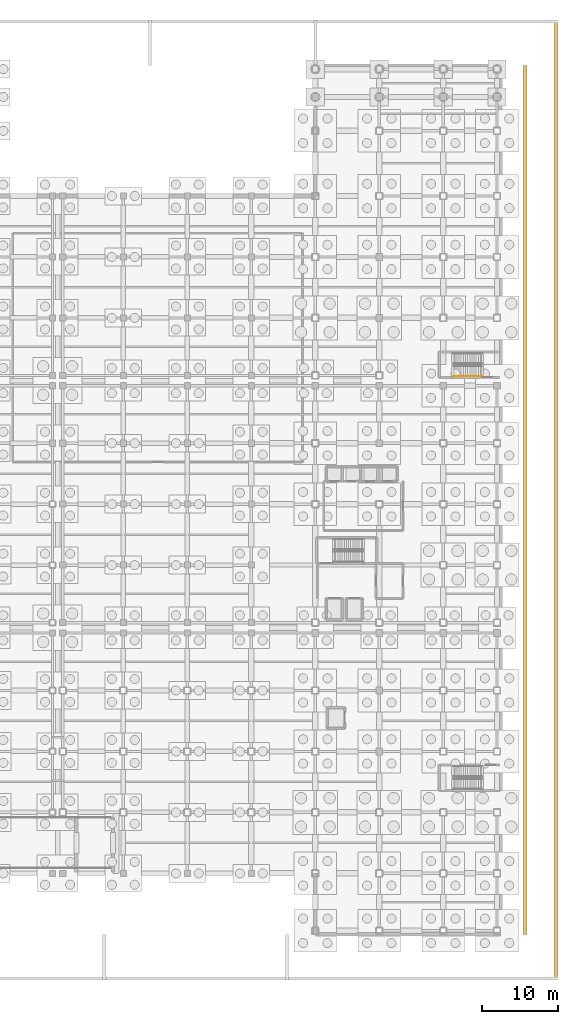
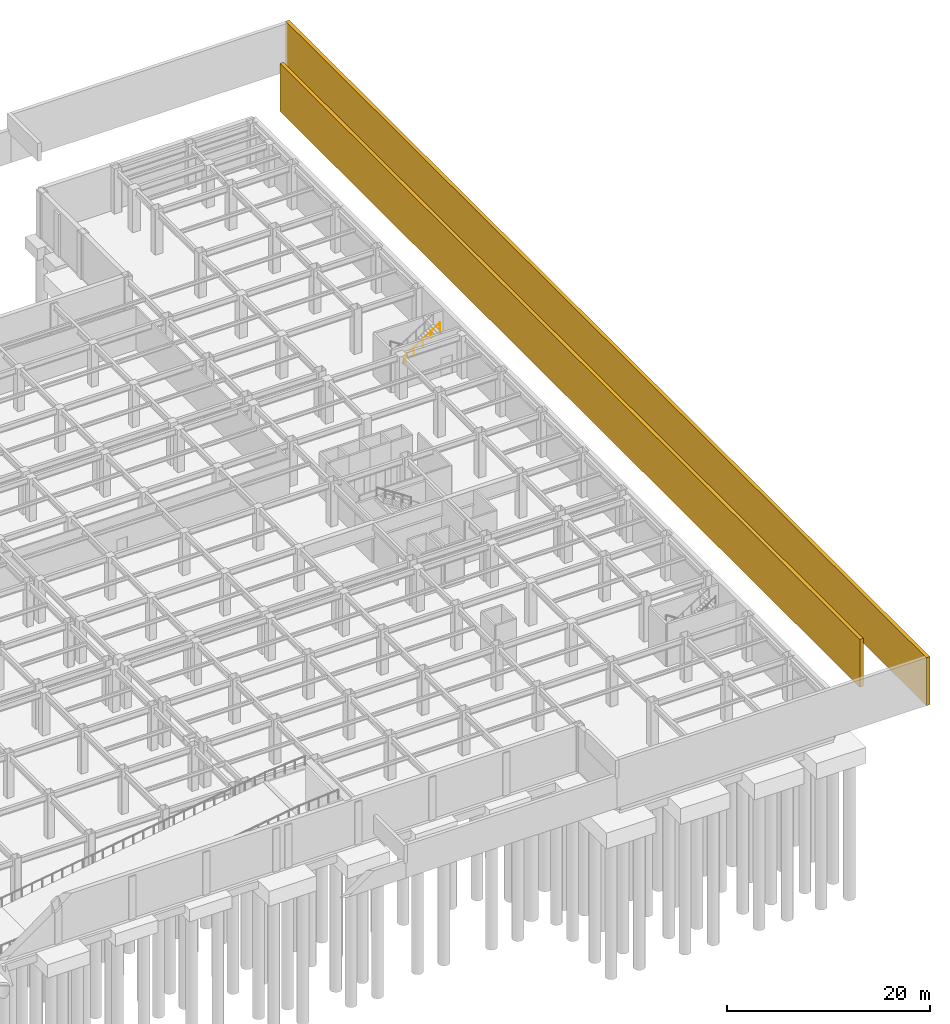
# One storey, part 52 of 55: 2 coverings, 1 railing.
"""IFC4 building model written with IfcOpenShell, lengths in metres."""

from ifc_helpers import new_model, si_unit, direction, frame, frame_2d, origin, origin_2d, place, context, subcontext, project, spatial, rectangle, circle, extrude, material, layer, layer_set, type_object, element, save


model = new_model("IFC4")

# Units and contexts
model_context = context("Model", 3, precision=1e-05, world=origin(), true_north=direction((0.0, 1.0)))
body_context = subcontext(model_context, "Body", "Model", "MODEL_VIEW")
ifc_project = project(units=[si_unit("LENGTHUNIT", "METRE"), si_unit("AREAUNIT", "SQUARE_METRE"), si_unit("VOLUMEUNIT", "CUBIC_METRE"), si_unit("PLANEANGLEUNIT", "RADIAN"), si_unit("MASSUNIT", "GRAM", prefix="KILO")], contexts=[model_context])

# Site, building, storey
site_placement = place(None, origin())
site = spatial("IfcSite", under=ifc_project, at=site_placement, CompositionType="ELEMENT")
building_placement = place(site_placement, origin())
building = spatial("IfcBuilding", under=site, at=building_placement, Name="Kazehara Bluff Congress Hotel", CompositionType="ELEMENT")
storey_placement = place(building_placement, frame((0.0, 0.0, -5.39990234375)))
storey = spatial("IfcBuildingStorey", under=building, at=storey_placement, Name="B1", CompositionType="ELEMENT", Elevation=-5.39990234375)

# Railing
ifc_material_1 = material(Name="Brushed stainless steel", Category="steel")
railing_type = type_object("IfcRailingType", Name="TP-HR-INT", PredefinedType="HANDRAIL", material=ifc_material_1)
railing_placement = place(storey_placement, frame((161.72998046875, 73.25, 2.8798828125)))
element("IfcRailing", 1, at=railing_placement, inside=storey, type_object=railing_type, Name="B1 ST-12 stair handrail 2", PredefinedType="HANDRAIL", context=body_context, shape_type="SweptSolid", body=[
    extrude(circle(Radius=0.02392578125, at=origin_2d()), frame((0.0, 0.0, 0.8759765625), z_axis=(0.841171666519, 0.0, 0.540768182723), x_axis=(0.0, 1.0, 0.0)), (0.0, 0.0, 1.0), 4.66015625),
    extrude(circle(Radius=0.02099609375, at=origin_2d()), origin(), (0.0, 0.0, 1.0), 0.851806640625),
    extrude(circle(Radius=0.02099609375, at=origin_2d()), frame((0.97998046875, 0.0, 0.6298828125)), (0.0, 0.0, 1.0), 0.851806640625),
    extrude(circle(Radius=0.02099609375, at=origin_2d()), frame((1.9599609375, 0.0, 1.260009765625)), (0.0, 0.0, 1.0), 0.851806640625),
    extrude(circle(Radius=0.02099609375, at=origin_2d()), frame((2.93994140625, 0.0, 1.89013671875)), (0.0, 0.0, 1.0), 0.851806640625),
    extrude(circle(Radius=0.02099609375, at=origin_2d()), frame((3.919921875, 0.0, 2.52001953125)), (0.0, 0.0, 1.0), 0.851806640625),
])

# Coverings
ifc_material_2 = material(Name="Granite ashlar bluff retaining facing", Category="masonry")
ifc_layer = layer(ifc_material_2, 0.39990234375)
ifc_layer_set = layer_set([ifc_layer], Name="Granite ashlar bluff retaining facing")
covering_type = type_object("IfcCoveringType", Name="TP-SITE-SKT", PredefinedType="CLADDING", material=ifc_layer_set)
covering_1_placement = place(storey_placement, frame((175.300048828125, -6.0, 5.0498046875), z_axis=(0.0, 0.0, 1.0), x_axis=(0.0, 1.0, 0.0)))
element("IfcCovering", 2, at=covering_1_placement, inside=storey, type_object=covering_type, Name="Osaka bluff granite earthwork retaining facing SKT-E", PredefinedType="CLADDING", context=body_context, shape_type="SweptSolid", body=[
    extrude(rectangle(XDim=126.0, YDim=0.39990234375, at=frame_2d((63.0, 0.0))), origin(), (0.0, 0.0, 1.0), 5.75),
])
covering_2_placement = place(storey_placement, frame((171.199951171875, 0.0, 5.0498046875), z_axis=(0.0, 0.0, 1.0), x_axis=(0.0, 1.0, 0.0)))
element("IfcCovering", 3, at=covering_2_placement, inside=storey, type_object=covering_type, Name="Osaka bluff granite earthwork retaining facing SKT-EGAL", PredefinedType="CLADDING", context=body_context, shape_type="SweptSolid", body=[
    extrude(rectangle(XDim=114.0, YDim=0.39990234375, at=frame_2d((57.0, 0.0))), origin(), (0.0, 0.0, 1.0), 5.75),
])

save(model, "model.ifc")
